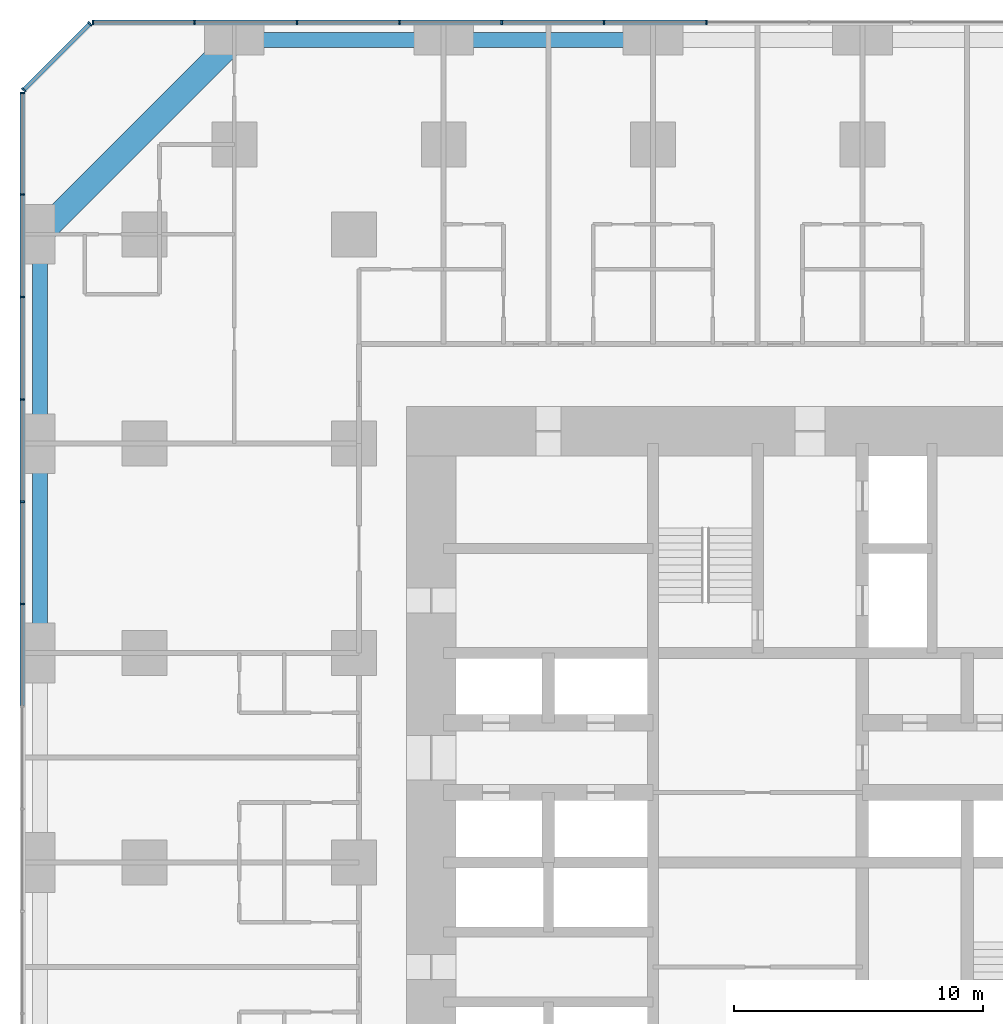
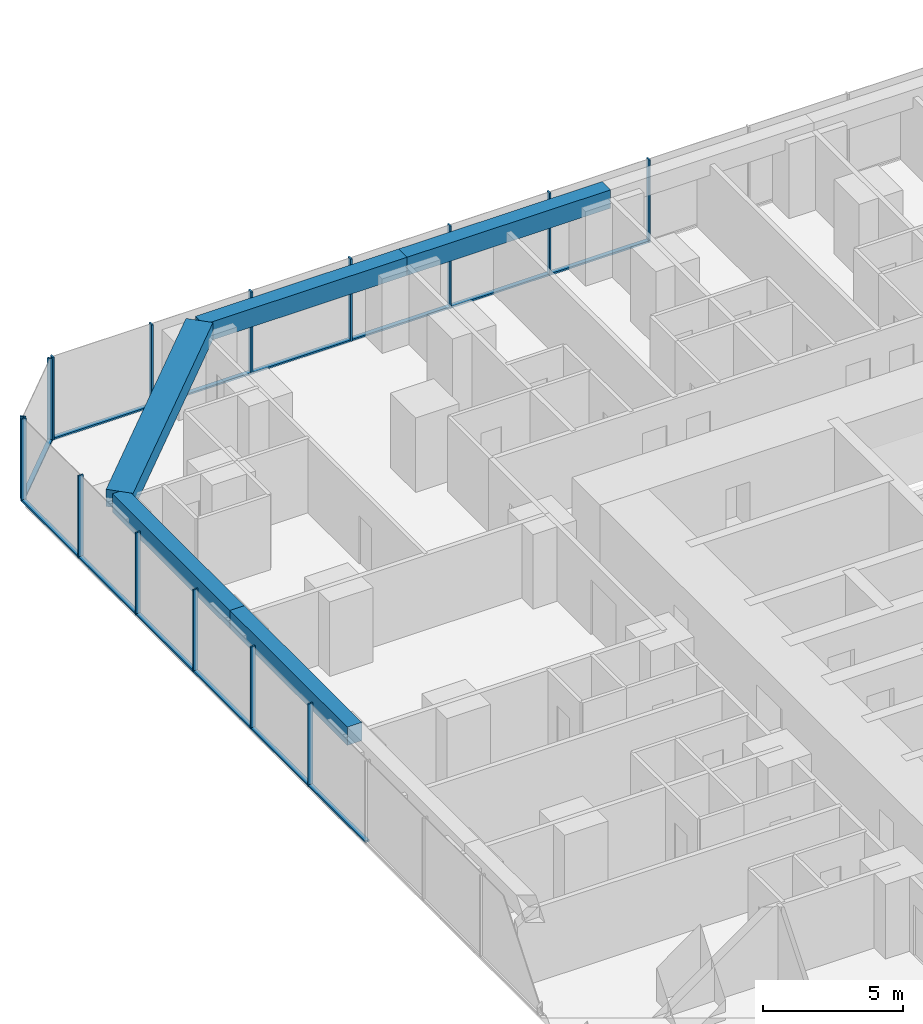
# One storey, part 6 of 18: 28 members, 5 beams, 3 elements without a shape of their own.
"""IFC4 building model written with IfcOpenShell, lengths in metres."""

from ifc_helpers import new_model, si_unit, direction, frame, origin, origin_2d, place, context, subcontext, project, spatial, rectangle, extrude, material, material_profile, profile_set, type_object, element, aggregate, save


model = new_model("IFC4")

# Units and contexts
model_context = context("Model", 3, precision=1e-05, world=origin(), true_north=direction((0.0, 1.0)))
body_context = subcontext(model_context, "Body", "Model", "MODEL_VIEW")
ifc_project = project(units=[si_unit("LENGTHUNIT", "METRE"), si_unit("AREAUNIT", "SQUARE_METRE"), si_unit("VOLUMEUNIT", "CUBIC_METRE"), si_unit("PLANEANGLEUNIT", "RADIAN"), si_unit("MASSUNIT", "GRAM", prefix="KILO")], contexts=[model_context])

# Site, building, storey
site_placement = place(None, origin())
site = spatial("IfcSite", under=ifc_project, at=site_placement, CompositionType="ELEMENT")
building_placement = place(site_placement, origin())
building = spatial("IfcBuilding", under=site, at=building_placement, Name="Dunama Terrace Hotel", CompositionType="ELEMENT")
storey_placement = place(building_placement, frame((0.0, 0.0, 27.0)))
storey = spatial("IfcBuildingStorey", under=building, at=storey_placement, Name="L05", CompositionType="ELEMENT", Elevation=27.0)

# Curtain wall, members
ifc_material_1 = material(Name="Aluminium curtain wall system", Category="aluminium")
curtain_wall_type = type_object("IfcCurtainWallType", Name="Unitised fritted glass wall CW-A", PredefinedType="NOTDEFINED", material=ifc_material_1)
curtain_wall_1_placement = place(storey_placement, origin())
curtain_wall_1 = element("IfcCurtainWall", 1, at=curtain_wall_1_placement, inside=storey, type_object=curtain_wall_type, Name="Unitised fritted glass wall CW-A L05", PredefinedType="NOTDEFINED")
ifc_material_2 = material(Name="Aluminium mullion", Category="aluminium")
ifc_material_profile_1 = material_profile(ifc_material_2, rectangle(XDim=0.06494140625, YDim=0.199951171875, at=origin_2d()), Name="CWA MULLION 65X200")
ifc_profile_set_1 = profile_set([ifc_material_profile_1], Name="Aluminium mullion")
member_type_1 = type_object("IfcMemberType", Name="CWA mullion 65x200", PredefinedType="MULLION", material=ifc_profile_set_1)
member_1_placement = place(storey_placement, frame((27.345947265625, 58.89990234375, 0.0), z_axis=(0.0, 0.0, 1.0), x_axis=(-1.0, 0.0, 0.0)))
member_1 = element("IfcMember", 2, at=member_1_placement, type_object=member_type_1, Name="CWA mullion", PredefinedType="MULLION", context=body_context, shape_type="SweptSolid", body=[
    extrude(rectangle(XDim=0.06494140625, YDim=0.199951171875, at=origin_2d()), origin(), (0.0, 0.0, 1.0), 3.60009765625),
])
member_2_placement = place(storey_placement, frame((23.238037109375, 58.89990234375, 0.0), z_axis=(0.0, 0.0, 1.0), x_axis=(-1.0, 0.0, 0.0)))
member_2 = element("IfcMember", 3, at=member_2_placement, type_object=member_type_1, Name="CWA mullion", PredefinedType="MULLION", context=body_context, shape_type="SweptSolid", body=[
    extrude(rectangle(XDim=0.06494140625, YDim=0.199951171875, at=origin_2d()), origin(), (0.0, 0.0, 1.0), 3.60009765625),
])
member_3_placement = place(storey_placement, frame((19.131103515625, 58.89990234375, 0.0), z_axis=(0.0, 0.0, 1.0), x_axis=(-1.0, 0.0, 0.0)))
member_3 = element("IfcMember", 4, at=member_3_placement, type_object=member_type_1, Name="CWA mullion", PredefinedType="MULLION", context=body_context, shape_type="SweptSolid", body=[
    extrude(rectangle(XDim=0.06494140625, YDim=0.199951171875, at=origin_2d()), origin(), (0.0, 0.0, 1.0), 3.60009765625),
])
member_4_placement = place(storey_placement, frame((15.02294921875, 58.89990234375, 0.0), z_axis=(0.0, 0.0, 1.0), x_axis=(-1.0, 0.0, 0.0)))
member_4 = element("IfcMember", 5, at=member_4_placement, type_object=member_type_1, Name="CWA mullion", PredefinedType="MULLION", context=body_context, shape_type="SweptSolid", body=[
    extrude(rectangle(XDim=0.06494140625, YDim=0.199951171875, at=origin_2d()), origin(), (0.0, 0.0, 1.0), 3.60009765625),
])
member_5_placement = place(storey_placement, frame((10.9150390625, 58.89990234375, 0.0), z_axis=(0.0, 0.0, 1.0), x_axis=(-1.0, 0.0, 0.0)))
member_5 = element("IfcMember", 6, at=member_5_placement, type_object=member_type_1, Name="CWA mullion", PredefinedType="MULLION", context=body_context, shape_type="SweptSolid", body=[
    extrude(rectangle(XDim=0.06494140625, YDim=0.199951171875, at=origin_2d()), origin(), (0.0, 0.0, 1.0), 3.60009765625),
])
member_6_placement = place(storey_placement, frame((6.80810546875, 58.89990234375, 0.0), z_axis=(0.0, 0.0, 1.0), x_axis=(-1.0, 0.0, 0.0)))
member_6 = element("IfcMember", 7, at=member_6_placement, type_object=member_type_1, Name="CWA mullion", PredefinedType="MULLION", context=body_context, shape_type="SweptSolid", body=[
    extrude(rectangle(XDim=0.06494140625, YDim=0.199951171875, at=origin_2d()), origin(), (0.0, 0.0, 1.0), 3.60009765625),
])
member_7_placement = place(storey_placement, frame((2.73291015625, 58.89990234375, 0.0), z_axis=(0.0, 0.0, 1.0), x_axis=(-1.0, 0.0, 0.0)))
member_7 = element("IfcMember", 8, at=member_7_placement, type_object=member_type_1, Name="CWA mullion", PredefinedType="MULLION", context=body_context, shape_type="SweptSolid", body=[
    extrude(rectangle(XDim=0.06494140625, YDim=0.199951171875, at=origin_2d()), origin(), (0.0, 0.0, 1.0), 3.60009765625),
])

curtain_wall_2_placement = place(storey_placement, origin())
curtain_wall_2 = element("IfcCurtainWall", 9, at=curtain_wall_2_placement, inside=storey, type_object=curtain_wall_type, Name="Unitised fritted glass wall CW-A L05", PredefinedType="NOTDEFINED")
member_8_placement = place(storey_placement, frame((2.60595703125, 58.847900390625, 0.0), z_axis=(0.0, 0.0, 1.0), x_axis=(-0.707106781187, -0.707106781187, 0.0)))
member_8 = element("IfcMember", 10, at=member_8_placement, type_object=member_type_1, Name="CWA mullion", PredefinedType="MULLION", context=body_context, shape_type="SweptSolid", body=[
    extrude(rectangle(XDim=0.06494140625, YDim=0.199951171875, at=origin_2d()), origin(), (0.0, 0.0, 1.0), 3.60009765625),
])
member_9_placement = place(storey_placement, frame((-0.048095703125, 56.194091796875, 0.0), z_axis=(0.0, 0.0, 1.0), x_axis=(-0.707106781187, -0.707106781187, 0.0)))
member_9 = element("IfcMember", 11, at=member_9_placement, type_object=member_type_1, Name="CWA mullion", PredefinedType="MULLION", context=body_context, shape_type="SweptSolid", body=[
    extrude(rectangle(XDim=0.06494140625, YDim=0.199951171875, at=origin_2d()), origin(), (0.0, 0.0, 1.0), 3.60009765625),
])

curtain_wall_3_placement = place(storey_placement, origin())
curtain_wall_3 = element("IfcCurtainWall", 12, at=curtain_wall_3_placement, inside=storey, type_object=curtain_wall_type, Name="Unitised fritted glass wall CW-A L05", PredefinedType="NOTDEFINED")
member_10_placement = place(storey_placement, frame((-0.10009765625, 56.06689453125, 0.0), z_axis=(0.0, 0.0, 1.0), x_axis=(0.0, -1.0, 0.0)))
member_10 = element("IfcMember", 13, at=member_10_placement, type_object=member_type_1, Name="CWA mullion", PredefinedType="MULLION", context=body_context, shape_type="SweptSolid", body=[
    extrude(rectangle(XDim=0.06494140625, YDim=0.199951171875, at=origin_2d()), origin(), (0.0, 0.0, 1.0), 3.60009765625),
])
member_11_placement = place(storey_placement, frame((-0.10009765625, 51.991943359375, 0.0), z_axis=(0.0, 0.0, 1.0), x_axis=(0.0, -1.0, 0.0)))
member_11 = element("IfcMember", 14, at=member_11_placement, type_object=member_type_1, Name="CWA mullion", PredefinedType="MULLION", context=body_context, shape_type="SweptSolid", body=[
    extrude(rectangle(XDim=0.06494140625, YDim=0.199951171875, at=origin_2d()), origin(), (0.0, 0.0, 1.0), 3.60009765625),
])
member_12_placement = place(storey_placement, frame((-0.10009765625, 47.885009765625, 0.0), z_axis=(0.0, 0.0, 1.0), x_axis=(0.0, -1.0, 0.0)))
member_12 = element("IfcMember", 15, at=member_12_placement, type_object=member_type_1, Name="CWA mullion", PredefinedType="MULLION", context=body_context, shape_type="SweptSolid", body=[
    extrude(rectangle(XDim=0.06494140625, YDim=0.199951171875, at=origin_2d()), origin(), (0.0, 0.0, 1.0), 3.60009765625),
])
member_13_placement = place(storey_placement, frame((-0.10009765625, 43.777099609375, 0.0), z_axis=(0.0, 0.0, 1.0), x_axis=(0.0, -1.0, 0.0)))
member_13 = element("IfcMember", 16, at=member_13_placement, type_object=member_type_1, Name="CWA mullion", PredefinedType="MULLION", context=body_context, shape_type="SweptSolid", body=[
    extrude(rectangle(XDim=0.06494140625, YDim=0.199951171875, at=origin_2d()), origin(), (0.0, 0.0, 1.0), 3.60009765625),
])
member_14_placement = place(storey_placement, frame((-0.10009765625, 39.6689453125, 0.0), z_axis=(0.0, 0.0, 1.0), x_axis=(0.0, -1.0, 0.0)))
member_14 = element("IfcMember", 17, at=member_14_placement, type_object=member_type_1, Name="CWA mullion", PredefinedType="MULLION", context=body_context, shape_type="SweptSolid", body=[
    extrude(rectangle(XDim=0.06494140625, YDim=0.199951171875, at=origin_2d()), origin(), (0.0, 0.0, 1.0), 3.60009765625),
])
member_15_placement = place(storey_placement, frame((-0.10009765625, 35.56201171875, 0.0), z_axis=(0.0, 0.0, 1.0), x_axis=(0.0, -1.0, 0.0)))
member_15 = element("IfcMember", 18, at=member_15_placement, type_object=member_type_1, Name="CWA mullion", PredefinedType="MULLION", context=body_context, shape_type="SweptSolid", body=[
    extrude(rectangle(XDim=0.06494140625, YDim=0.199951171875, at=origin_2d()), origin(), (0.0, 0.0, 1.0), 3.60009765625),
])

# Member
ifc_material_3 = material(Name="Aluminium transom", Category="aluminium")
ifc_material_profile_2 = material_profile(ifc_material_3, rectangle(XDim=0.179931640625, YDim=0.074951171875, at=origin_2d()), Name="CWA TRANSOM 180X75")
ifc_profile_set_2 = profile_set([ifc_material_profile_2], Name="Aluminium transom")
member_type_2 = type_object("IfcMemberType", Name="CWA transom 180x75", PredefinedType="USERDEFINED", material=ifc_profile_set_2)
member_16_placement = place(storey_placement, frame((27.31396484375, 58.89990234375, 0.03759765625), z_axis=(-1.0, 0.0, 0.0), x_axis=(0.0, -1.0, 0.0)))
member_16 = element("IfcMember", 19, at=member_16_placement, type_object=member_type_2, Name="CWA transom", ObjectType="TRANSOM", PredefinedType="USERDEFINED", context=body_context, shape_type="SweptSolid", body=[
    extrude(rectangle(XDim=0.179931640625, YDim=0.074951171875, at=origin_2d()), origin(), (0.0, 0.0, 1.0), 4.04296875),
])

member_17_placement = place(storey_placement, frame((23.2060546875, 58.89990234375, 0.03759765625), z_axis=(-1.0, 0.0, 0.0), x_axis=(0.0, -1.0, 0.0)))
member_17 = element("IfcMember", 20, at=member_17_placement, type_object=member_type_2, Name="CWA transom", ObjectType="TRANSOM", PredefinedType="USERDEFINED", context=body_context, shape_type="SweptSolid", body=[
    extrude(rectangle(XDim=0.179931640625, YDim=0.074951171875, at=origin_2d()), origin(), (0.0, 0.0, 1.0), 4.04296875),
])

member_18_placement = place(storey_placement, frame((19.097900390625, 58.89990234375, 0.03759765625), z_axis=(-1.0, 0.0, 0.0), x_axis=(0.0, -1.0, 0.0)))
member_18 = element("IfcMember", 21, at=member_18_placement, type_object=member_type_2, Name="CWA transom", ObjectType="TRANSOM", PredefinedType="USERDEFINED", context=body_context, shape_type="SweptSolid", body=[
    extrude(rectangle(XDim=0.179931640625, YDim=0.074951171875, at=origin_2d()), origin(), (0.0, 0.0, 1.0), 4.0419921875),
])

member_19_placement = place(storey_placement, frame((14.990966796875, 58.89990234375, 0.03759765625), z_axis=(-1.0, 0.0, 0.0), x_axis=(0.0, -1.0, 0.0)))
member_19 = element("IfcMember", 22, at=member_19_placement, type_object=member_type_2, Name="CWA transom", ObjectType="TRANSOM", PredefinedType="USERDEFINED", context=body_context, shape_type="SweptSolid", body=[
    extrude(rectangle(XDim=0.179931640625, YDim=0.074951171875, at=origin_2d()), origin(), (0.0, 0.0, 1.0), 4.04296875),
])

member_20_placement = place(storey_placement, frame((10.883056640625, 58.89990234375, 0.03759765625), z_axis=(-1.0, 0.0, 0.0), x_axis=(0.0, -1.0, 0.0)))
member_20 = element("IfcMember", 23, at=member_20_placement, type_object=member_type_2, Name="CWA transom", ObjectType="TRANSOM", PredefinedType="USERDEFINED", context=body_context, shape_type="SweptSolid", body=[
    extrude(rectangle(XDim=0.179931640625, YDim=0.074951171875, at=origin_2d()), origin(), (0.0, 0.0, 1.0), 4.04296875),
])

member_21_placement = place(storey_placement, frame((6.77490234375, 58.89990234375, 0.03759765625), z_axis=(-1.0, 0.0, 0.0), x_axis=(0.0, -1.0, 0.0)))
member_21 = element("IfcMember", 24, at=member_21_placement, type_object=member_type_2, Name="CWA transom", ObjectType="TRANSOM", PredefinedType="USERDEFINED", context=body_context, shape_type="SweptSolid", body=[
    extrude(rectangle(XDim=0.179931640625, YDim=0.074951171875, at=origin_2d()), origin(), (0.0, 0.0, 1.0), 4.010009765625),
])

aggregate(curtain_wall_1, [member_1, member_2, member_3, member_4, member_5, member_6, member_7, member_16, member_17, member_18, member_19, member_20, member_21])

member_22_placement = place(storey_placement, frame((2.5830078125, 58.824951171875, 0.03759765625), z_axis=(-0.707106781187, -0.707106781187, 0.0), x_axis=(0.707106781187, -0.707106781187, 0.0)))
member_22 = element("IfcMember", 25, at=member_22_placement, type_object=member_type_2, Name="CWA transom", ObjectType="TRANSOM", PredefinedType="USERDEFINED", context=body_context, shape_type="SweptSolid", body=[
    extrude(rectangle(XDim=0.179931640625, YDim=0.074951171875, at=origin_2d()), origin(), (0.0, 0.0, 1.0), 3.688232421875),
])

aggregate(curtain_wall_2, [member_8, member_9, member_22])

member_23_placement = place(storey_placement, frame((-0.10009765625, 56.034912109375, 0.03759765625), z_axis=(0.0, -1.0, 0.0), x_axis=(1.0, 0.0, 0.0)))
member_23 = element("IfcMember", 26, at=member_23_placement, type_object=member_type_2, Name="CWA transom", ObjectType="TRANSOM", PredefinedType="USERDEFINED", context=body_context, shape_type="SweptSolid", body=[
    extrude(rectangle(XDim=0.179931640625, YDim=0.074951171875, at=origin_2d()), origin(), (0.0, 0.0, 1.0), 4.010009765625),
])

member_24_placement = place(storey_placement, frame((-0.10009765625, 51.9599609375, 0.03759765625), z_axis=(0.0, -1.0, 0.0), x_axis=(1.0, 0.0, 0.0)))
member_24 = element("IfcMember", 27, at=member_24_placement, type_object=member_type_2, Name="CWA transom", ObjectType="TRANSOM", PredefinedType="USERDEFINED", context=body_context, shape_type="SweptSolid", body=[
    extrude(rectangle(XDim=0.179931640625, YDim=0.074951171875, at=origin_2d()), origin(), (0.0, 0.0, 1.0), 4.04296875),
])

member_25_placement = place(storey_placement, frame((-0.10009765625, 47.85205078125, 0.03759765625), z_axis=(0.0, -1.0, 0.0), x_axis=(1.0, 0.0, 0.0)))
member_25 = element("IfcMember", 28, at=member_25_placement, type_object=member_type_2, Name="CWA transom", ObjectType="TRANSOM", PredefinedType="USERDEFINED", context=body_context, shape_type="SweptSolid", body=[
    extrude(rectangle(XDim=0.179931640625, YDim=0.074951171875, at=origin_2d()), origin(), (0.0, 0.0, 1.0), 4.04296875),
])

member_26_placement = place(storey_placement, frame((-0.10009765625, 43.743896484375, 0.03759765625), z_axis=(0.0, -1.0, 0.0), x_axis=(1.0, 0.0, 0.0)))
member_26 = element("IfcMember", 29, at=member_26_placement, type_object=member_type_2, Name="CWA transom", ObjectType="TRANSOM", PredefinedType="USERDEFINED", context=body_context, shape_type="SweptSolid", body=[
    extrude(rectangle(XDim=0.179931640625, YDim=0.074951171875, at=origin_2d()), origin(), (0.0, 0.0, 1.0), 4.0419921875),
])

member_27_placement = place(storey_placement, frame((-0.10009765625, 39.636962890625, 0.03759765625), z_axis=(0.0, -1.0, 0.0), x_axis=(1.0, 0.0, 0.0)))
member_27 = element("IfcMember", 30, at=member_27_placement, type_object=member_type_2, Name="CWA transom", ObjectType="TRANSOM", PredefinedType="USERDEFINED", context=body_context, shape_type="SweptSolid", body=[
    extrude(rectangle(XDim=0.179931640625, YDim=0.074951171875, at=origin_2d()), origin(), (0.0, 0.0, 1.0), 4.04296875),
])

member_28_placement = place(storey_placement, frame((-0.10009765625, 35.529052734375, 0.03759765625), z_axis=(0.0, -1.0, 0.0), x_axis=(1.0, 0.0, 0.0)))
member_28 = element("IfcMember", 31, at=member_28_placement, type_object=member_type_2, Name="CWA transom", ObjectType="TRANSOM", PredefinedType="USERDEFINED", context=body_context, shape_type="SweptSolid", body=[
    extrude(rectangle(XDim=0.179931640625, YDim=0.074951171875, at=origin_2d()), origin(), (0.0, 0.0, 1.0), 4.04296875),
])

aggregate(curtain_wall_3, [member_10, member_11, member_12, member_13, member_14, member_15, member_23, member_24, member_25, member_26, member_27, member_28])

# Beams
ifc_material_4 = material(Name="Concrete C50/60", Category="concrete")
ifc_material_profile_3 = material_profile(ifc_material_4, rectangle(XDim=1.0, YDim=0.75, at=origin_2d()), Name="RC 1000x750")
ifc_profile_set_3 = profile_set([ifc_material_profile_3], Name="Concrete C50/60")
beam_type_1 = type_object("IfcBeamType", Name="Edge beam RC 1000x750", PredefinedType="SPANDREL", material=ifc_profile_set_3)
beam_1_placement = place(storey_placement, frame((8.39990234375, 58.199951171875, 3.22509765625), z_axis=(-0.707095714747, -0.707117847453, 0.0), x_axis=(0.707117847453, -0.707095714747, 0.0)))
element("IfcBeam", 32, at=beam_1_placement, inside=storey, type_object=beam_type_1, Name="Corner edge beam under L06", PredefinedType="SPANDREL", context=body_context, shape_type="SweptSolid", body=[
    extrude(rectangle(XDim=1.0, YDim=0.75, at=origin_2d()), origin(), (0.0, 0.0, 1.0), 11.03076171875),
])
ifc_material_5 = material(Name="Concrete C40/50", Category="concrete")
ifc_material_profile_4 = material_profile(ifc_material_5, rectangle(XDim=0.60009765625, YDim=0.800048828125, at=origin_2d()), Name="RC 600x800")
ifc_profile_set_4 = profile_set([ifc_material_profile_4], Name="Concrete C40/50")
beam_type_2 = type_object("IfcBeamType", Name="Edge beam RC 600x800", PredefinedType="SPANDREL", material=ifc_profile_set_4)
for number, where, z_axis, x_axis, name in (
    (33, (0.60009765625, 33.60009765625, 3.199951171875), (0.0, 1.0, 0.0), (-1.0, 0.0, 0.0), "Edge beam under L06"),
    (34, (0.60009765625, 42.0, 3.199951171875), (0.0, 1.0, 0.0), (-1.0, 0.0, 0.0), "Edge beam under L06"),
):
    element("IfcBeam", number, at=place(storey_placement, frame(where, z_axis=z_axis, x_axis=x_axis)), inside=storey, type_object=beam_type_2, Name=name, PredefinedType="SPANDREL", context=body_context, shape_type="SweptSolid", body=[
        extrude(rectangle(XDim=0.60009765625, YDim=0.800048828125, at=origin_2d()), origin(), (0.0, 0.0, 1.0), 8.39990234375),
    ])
beam_2_placement = place(storey_placement, frame((8.39990234375, 58.199951171875, 3.199951171875), z_axis=(1.0, 0.0, 0.0), x_axis=(0.0, 1.0, 0.0)))
element("IfcBeam", 35, at=beam_2_placement, inside=storey, type_object=beam_type_2, Name="Edge beam under L06", PredefinedType="SPANDREL", context=body_context, shape_type="SweptSolid", body=[
    extrude(rectangle(XDim=0.60009765625, YDim=0.800048828125, at=origin_2d()), origin(), (0.0, 0.0, 1.0), 8.400146484375),
])
beam_3_placement = place(storey_placement, frame((16.800048828125, 58.199951171875, 3.199951171875), z_axis=(1.0, 0.0, 0.0), x_axis=(0.0, 1.0, 0.0)))
element("IfcBeam", 36, at=beam_3_placement, inside=storey, type_object=beam_type_2, Name="Edge beam under L06", PredefinedType="SPANDREL", context=body_context, shape_type="SweptSolid", body=[
    extrude(rectangle(XDim=0.60009765625, YDim=0.800048828125, at=origin_2d()), origin(), (0.0, 0.0, 1.0), 8.39990234375),
])

save(model, "model.ifc")
